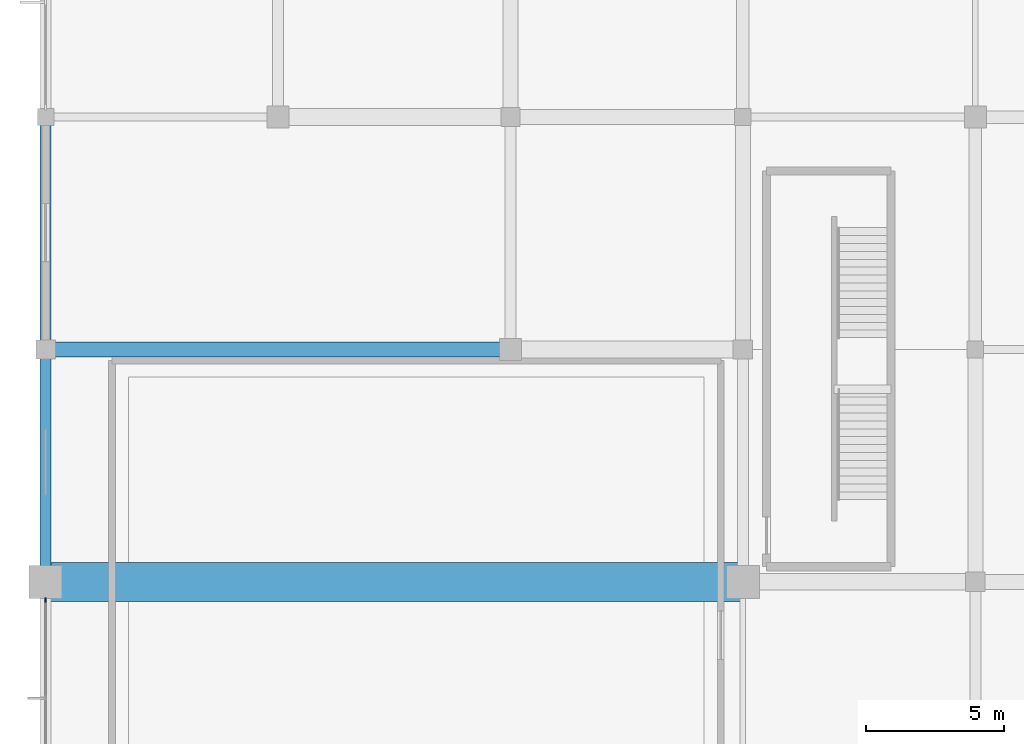
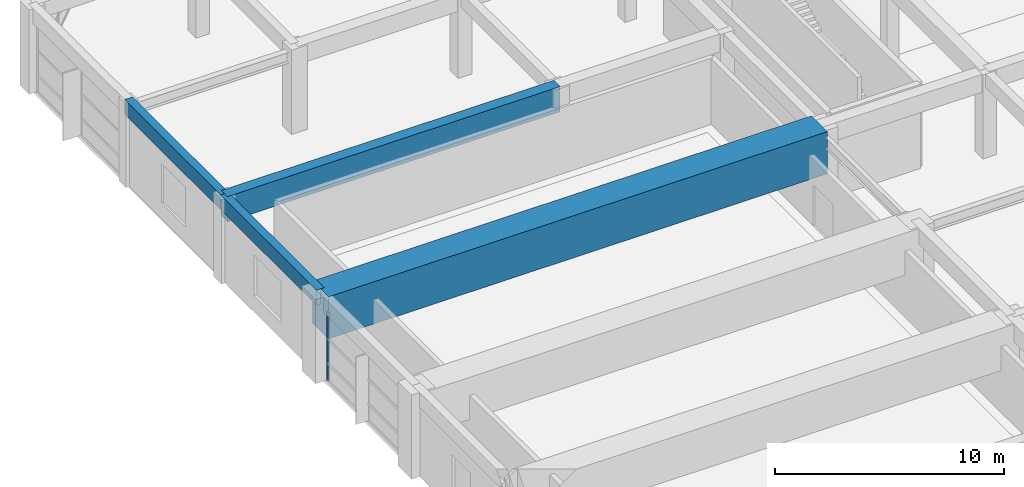
# One storey, part 18 of 62: 4 beams, 1 member, 1 element without a shape of its own.
"""IFC4 building model written with IfcOpenShell, lengths in metres."""

import ifcopenshell
import ifcopenshell.guid

model = None  # the IFC model being written
_history = None  # IfcOwnerHistory: only IFC2X3 demands one
_inside = {}  # id of a spatial element -> (the spatial element, [elements in it])
_under = {}  # id of a project, library or spatial element -> (it, [spatial elements below it])
_declared = {}  # id of a project -> (the project, [libraries it declares])
_typed = {}  # id of a type object -> (the type object, [elements of that type])
_made_of = {}  # id of a material, layer set ... -> (it, [elements and type objects made of it])


def new_model(schema):
    """Start an empty IFC model of exactly this schema.

    Asked for "IFC4X3", IfcOpenShell would pick the latest addendum, in which some entities
    have other attributes; the version numbers below select the first issue.
    IFC2X3 requires an IfcOwnerHistory on every rooted entity: one is made here for all.
    """
    global model, _history
    if schema == "IFC4X3":
        model = ifcopenshell.file(schema_version=(4, 3, 0, 0))
    else:
        model = ifcopenshell.file(schema=schema)
    _inside.clear()
    _under.clear()
    _declared.clear()
    _typed.clear()
    _made_of.clear()
    _history = None
    if model.schema == "IFC2X3":
        org = make("IfcOrganization", Name="unknown")
        user = make(
            "IfcPersonAndOrganization",
            ThePerson=make("IfcPerson", FamilyName="unknown"),
            TheOrganization=org,
        )
        app = make(
            "IfcApplication",
            ApplicationDeveloper=org,
            Version="unknown",
            ApplicationFullName="unknown",
            ApplicationIdentifier="unknown",
        )
        _history = make(
            "IfcOwnerHistory",
            OwningUser=user,
            OwningApplication=app,
            ChangeAction="ADDED",
            CreationDate=0,
        )
    return model


def make(cls, **values):
    """One entity of the class cls with the attributes given. An attribute that is None is left unset."""
    return model.create_entity(
        cls, **{name: value for name, value in values.items() if value is not None}
    )


def rooted(cls, **values):
    """An entity with a GlobalId (a new one), such as an element, a storey or a relation."""
    return make(cls, GlobalId=ifcopenshell.guid.new(), OwnerHistory=_history, **values)


def si_unit(unit_type, name, prefix=None):
    """IfcSIUnit, for example si_unit("LENGTHUNIT", "METRE", prefix="MILLI")."""
    return make("IfcSIUnit", UnitType=unit_type, Prefix=prefix, Name=name)


def assignment(units):
    """IfcUnitAssignment: the units of a project."""
    return None if units is None else make("IfcUnitAssignment", Units=units)


def point(xyz):
    """IfcCartesianPoint."""
    return None if xyz is None else make("IfcCartesianPoint", Coordinates=xyz)


def direction(xyz):
    """IfcDirection."""
    return None if xyz is None else make("IfcDirection", DirectionRatios=xyz)


def frame(location, z_axis=None, x_axis=None):
    """IfcAxis2Placement3D, a coordinate frame: its origin and axes. An axis left out is left unset."""
    return make(
        "IfcAxis2Placement3D",
        Location=point(location),
        Axis=direction(z_axis),
        RefDirection=direction(x_axis),
    )


def frame_2d(location, x_axis=None):
    """IfcAxis2Placement2D, a coordinate frame in the plane: its origin and x axis."""
    return make(
        "IfcAxis2Placement2D", Location=point(location), RefDirection=direction(x_axis)
    )


def origin():
    """The frame at (0, 0, 0) with its axes left unset."""
    return frame((0.0, 0.0, 0.0))


def origin_2d():
    """The frame at (0, 0) in the plane with its x axis left unset."""
    return frame_2d((0.0, 0.0))


def place(relative_to, where):
    """IfcLocalPlacement: puts the frame where relative to a parent placement (None: the world)."""
    return make(
        "IfcLocalPlacement", PlacementRelTo=relative_to, RelativePlacement=where
    )


def context(
    kind, dimensions, precision=None, world=None, true_north=None, identifier=None
):
    """IfcGeometricRepresentationContext, for example the 3D "Model" context."""
    return make(
        "IfcGeometricRepresentationContext",
        ContextIdentifier=identifier,
        ContextType=kind,
        CoordinateSpaceDimension=dimensions,
        Precision=precision,
        WorldCoordinateSystem=world,
        TrueNorth=true_north,
    )


def subcontext(parent, identifier, kind, view, scale=None):
    """IfcGeometricRepresentationSubContext, for example "Body" below "Model"."""
    return make(
        "IfcGeometricRepresentationSubContext",
        ContextIdentifier=identifier,
        ContextType=kind,
        ParentContext=parent,
        TargetScale=scale,
        TargetView=view,
    )


def project(units=None, contexts=None):
    """IfcProject with its units and contexts."""
    return rooted(
        "IfcProject",
        Name="project",
        RepresentationContexts=contexts,
        UnitsInContext=assignment(units),
    )


def spatial(cls, under=None, at=None, **own):
    """A site, building, storey or space (cls), placed at a placement, below another one or the project."""
    s = rooted(cls, ObjectPlacement=at, **own)
    if under is not None:
        _under.setdefault(under.id(), (under, []))[1].append(s)
    return s


def profile(cls, at=None, kind="AREA", **sizes):
    """A parametric profile (cls). Its sizes go by their IFC names, for example OverallWidth=200.0."""
    return make(cls, ProfileType=kind, Position=at, **sizes)


def rectangle(**sizes):
    """IfcRectangleProfileDef."""
    return profile("IfcRectangleProfileDef", **sizes)


def extrude(swept, where, along, depth):
    """IfcExtrudedAreaSolid: the profile swept, set in the frame where, extruded along a direction by depth."""
    return make(
        "IfcExtrudedAreaSolid",
        SweptArea=swept,
        Position=where,
        ExtrudedDirection=direction(along),
        Depth=depth,
    )


def shape(context_of_items, identifier, shape_type, items):
    """IfcShapeRepresentation: the items that make up one representation, for example the "Body"."""
    return make(
        "IfcShapeRepresentation",
        ContextOfItems=context_of_items,
        RepresentationIdentifier=identifier,
        RepresentationType=shape_type,
        Items=items,
    )


def material(Name=None, Category=None):
    """IfcMaterial."""
    return make("IfcMaterial", Name=Name, Category=Category)


def material_profile(
    of_material, cross_section, Name=None, Category=None, Priority=None
):
    """IfcMaterialProfile: a cross section and its material."""
    return make(
        "IfcMaterialProfile",
        Name=Name,
        Material=of_material,
        Profile=cross_section,
        Priority=Priority,
        Category=Category,
    )


def profile_set(profiles, Name=None, composite=None):
    """IfcMaterialProfileSet."""
    return make(
        "IfcMaterialProfileSet",
        Name=Name,
        MaterialProfiles=profiles,
        CompositeProfile=composite,
    )


def made_of(thing, what):
    """Note that an element or type object is made of a material, layer set ...; save() writes the relation."""
    if what is not None:
        _made_of.setdefault(what.id(), (what, []))[1].append(thing)
    return thing


def type_object(cls, material=None, **own):
    """A type object (cls), such as IfcWallType, which elements share."""
    return made_of(rooted(cls, **own), material)


def element(
    cls,
    number,
    at=None,
    inside=None,
    cuts=None,
    type_object=None,
    material=None,
    context=None,
    identifier="Body",
    shape_type=None,
    held_by="IfcProductDefinitionShape",
    body=None,
    shapes=None,
    **own,
):
    """One element of the class cls, such as IfcWall. Its Tag is "e" and its number.

    at: its placement. inside: the storey or other place that contains it. cuts: it is an
    opening in that element (IfcRelVoidsElement). A single representation is given by context,
    identifier, shape_type and body (its items); several are given by shapes. held_by: the class
    of the entity that holds the representations. save() writes the other relations.
    """
    e = rooted(cls, Tag="e%d" % number, ObjectPlacement=at, **own)
    if body is not None:
        shapes = [shape(context, identifier, shape_type, body)]
    if shapes is not None:
        e.Representation = make(held_by, Representations=shapes)
    if inside is not None:
        _inside.setdefault(inside.id(), (inside, []))[1].append(e)
    if cuts is not None:
        rooted(
            "IfcRelVoidsElement", RelatingBuildingElement=cuts, RelatedOpeningElement=e
        )
    if type_object is not None:
        _typed.setdefault(type_object.id(), (type_object, []))[1].append(e)
    return made_of(e, material)


def aggregate(whole, parts):
    """IfcRelAggregates: a whole, such as a stair, and the parts it consists of."""
    return rooted("IfcRelAggregates", RelatingObject=whole, RelatedObjects=parts)


def save(model, path):
    """Write the relations noted so far, then the file.

    IfcRelAggregates (storeys below a building ...), IfcRelContainedInSpatialStructure (elements
    in a storey), IfcRelDefinesByType, IfcRelAssociatesMaterial and IfcRelDeclares: one each for
    every whole, place, type object, material and project.
    """
    for whole, parts in _under.values():
        aggregate(whole, parts)
    for where, things in _inside.values():
        rooted(
            "IfcRelContainedInSpatialStructure",
            RelatedElements=things,
            RelatingStructure=where,
        )
    for kind, things in _typed.values():
        rooted("IfcRelDefinesByType", RelatedObjects=things, RelatingType=kind)
    for what, things in _made_of.values():
        rooted("IfcRelAssociatesMaterial", RelatedObjects=things, RelatingMaterial=what)
    for by, libraries in _declared.values():
        rooted("IfcRelDeclares", RelatingContext=by, RelatedDefinitions=libraries)
    model.write(path)


model = new_model("IFC4")

# Units and contexts
model_context = context("Model", 3, precision=1e-05, world=origin(), true_north=direction((0.0, 1.0)))
body_context = subcontext(model_context, "Body", "Model", "MODEL_VIEW")
ifc_project = project(units=[si_unit("LENGTHUNIT", "METRE"), si_unit("AREAUNIT", "SQUARE_METRE"), si_unit("VOLUMEUNIT", "CUBIC_METRE"), si_unit("PLANEANGLEUNIT", "RADIAN"), si_unit("MASSUNIT", "GRAM", prefix="KILO")], contexts=[model_context])

# Site, building, storey
site_placement = place(None, origin())
site = spatial("IfcSite", under=ifc_project, at=site_placement, CompositionType="ELEMENT")
building_placement = place(site_placement, origin())
building = spatial("IfcBuilding", under=site, at=building_placement, Name="Xuanlan Plaza Opera House", CompositionType="ELEMENT")
storey_placement = place(building_placement, frame((0.0, 0.0, 14.39990234375)))
storey = spatial("IfcBuildingStorey", under=building, at=storey_placement, Name="L03", CompositionType="ELEMENT", Elevation=14.39990234375)

# Curtain wall, member
ifc_material_1 = material(Name="Anodised Aluminium 6063-T6 and Low-E Glass", Category="aluminium")
curtain_wall_type = type_object("IfcCurtainWallType", Name="ENV-CW-CW-04", PredefinedType="USERDEFINED", material=ifc_material_1)
curtain_wall_placement = place(storey_placement, origin())
curtain_wall = element("IfcCurtainWall", 1, at=curtain_wall_placement, inside=storey, type_object=curtain_wall_type, Name="Unitised Curtain Wall L03-051", ObjectType="UNITISED CURTAIN WALL", PredefinedType="USERDEFINED")
ifc_material_2 = material(Name="Anodised Aluminium 6063-T6", Category="aluminium")
ifc_material_profile_1 = material_profile(ifc_material_2, rectangle(XDim=0.06494140625, YDim=0.159912109375, at=origin_2d()), Name="ALU-M 65x160")
ifc_profile_set_1 = profile_set([ifc_material_profile_1], Name="Anodised Aluminium 6063-T6")
member_type = type_object("IfcMemberType", Name="ENV-CWM-01", PredefinedType="MULLION", material=ifc_profile_set_1)
member_placement = place(storey_placement, frame((0.0, 66.547607421875, 0.0), z_axis=(0.0, 0.0, 1.0), x_axis=(1.0, 0.0, 0.0)))
member = element("IfcMember", 2, at=member_placement, type_object=member_type, Name="CW-04 mullion 1", PredefinedType="MULLION", context=body_context, shape_type="SweptSolid", body=[
    extrude(rectangle(XDim=0.06494140625, YDim=0.159912109375, at=origin_2d()), origin(), (0.0, 0.0, 1.0), 3.68017578125),
])
aggregate(curtain_wall, [member])

# Beams
ifc_material_3 = material(Name="Concrete C50", Category="concrete")
ifc_material_profile_2 = material_profile(ifc_material_3, rectangle(XDim=0.550048828125, YDim=1.35009765625, at=origin_2d()), Name="RC-SPD 550x1350")
ifc_profile_set_2 = profile_set([ifc_material_profile_2], Name="Concrete C50")
beam_type_1 = type_object("IfcBeamType", Name="STR-BM-LG-SP1", PredefinedType="SPANDREL", material=ifc_profile_set_2)
beam_1_placement = place(storey_placement, frame((0.0, 75.60009765625, 3.8251953125), z_axis=(1.0, 0.0, 0.0), x_axis=(0.0, 1.0, 0.0)))
element("IfcBeam", 3, at=beam_1_placement, inside=storey, type_object=beam_type_1, Name="Grid Beam X L03 1-3/J", PredefinedType="SPANDREL", context=body_context, shape_type="SweptSolid", body=[
    extrude(rectangle(XDim=0.550048828125, YDim=1.35009765625, at=origin_2d()), origin(), (0.0, 0.0, 1.0), 16.800048828125),
])
ifc_material_4 = material(Name="Concrete C40", Category="concrete")
ifc_material_profile_3 = material_profile(ifc_material_4, rectangle(XDim=0.39990234375, YDim=0.800048828125, at=origin_2d()), Name="RC-SPD 400x800")
ifc_profile_set_3 = profile_set([ifc_material_profile_3], Name="Concrete C40")
beam_type_2 = type_object("IfcBeamType", Name="STR-BM-SP-01", PredefinedType="SPANDREL", material=ifc_profile_set_3)
beam_2_placement = place(storey_placement, frame((0.0, 67.199951171875, 4.10009765625), z_axis=(0.0, 1.0, 0.0), x_axis=(-1.0, 0.0, 0.0)))
element("IfcBeam", 4, at=beam_2_placement, inside=storey, type_object=beam_type_2, Name="Grid Beam Y L03 1/I-J", PredefinedType="SPANDREL", context=body_context, shape_type="SweptSolid", body=[
    extrude(rectangle(XDim=0.39990234375, YDim=0.800048828125, at=origin_2d()), origin(), (0.0, 0.0, 1.0), 8.400146484375),
])
beam_3_placement = place(storey_placement, frame((0.0, 75.60009765625, 4.10009765625), z_axis=(0.0, 1.0, 0.0), x_axis=(-1.0, 0.0, 0.0)))
element("IfcBeam", 5, at=beam_3_placement, inside=storey, type_object=beam_type_2, Name="Grid Beam Y L03 1/J-K", PredefinedType="SPANDREL", context=body_context, shape_type="SweptSolid", body=[
    extrude(rectangle(XDim=0.39990234375, YDim=0.800048828125, at=origin_2d()), origin(), (0.0, 0.0, 1.0), 8.39990234375),
])
ifc_material_5 = material(Name="Concrete C60", Category="concrete")
ifc_material_profile_4 = material_profile(ifc_material_5, rectangle(XDim=1.39990234375, YDim=2.25, at=origin_2d()), Name="RC-TG 1400x2250")
ifc_profile_set_4 = profile_set([ifc_material_profile_4], Name="Concrete C60")
beam_type_3 = type_object("IfcBeamType", Name="STR-BM-TG-04", PredefinedType="BEAM", material=ifc_profile_set_4)
beam_4_placement = place(storey_placement, frame((0.0, 67.199951171875, 3.375), z_axis=(1.0, 0.0, 0.0), x_axis=(0.0, 1.0, 0.0)))
element("IfcBeam", 6, at=beam_4_placement, inside=storey, type_object=beam_type_3, Name="Grid Beam X L03 1-4/I", PredefinedType="BEAM", context=body_context, shape_type="SweptSolid", body=[
    extrude(rectangle(XDim=1.39990234375, YDim=2.25, at=origin_2d()), origin(), (0.0, 0.0, 1.0), 25.199951171875),
])

save(model, "model.ifc")
